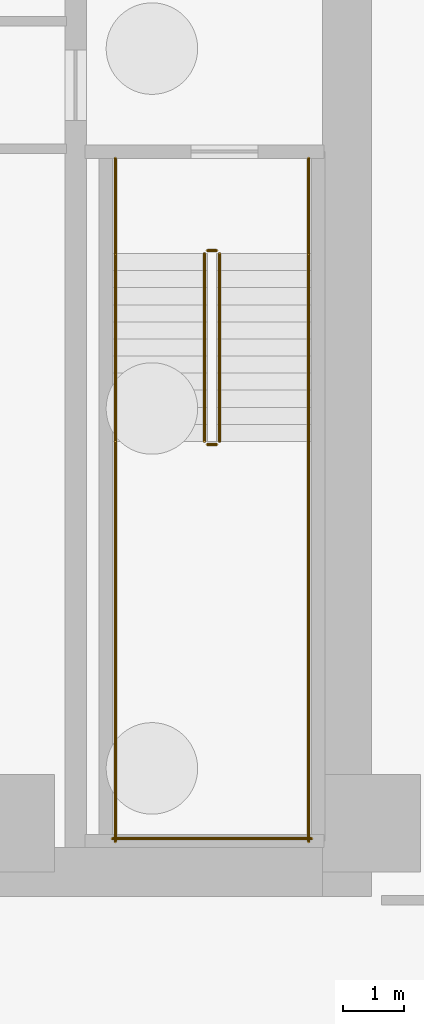
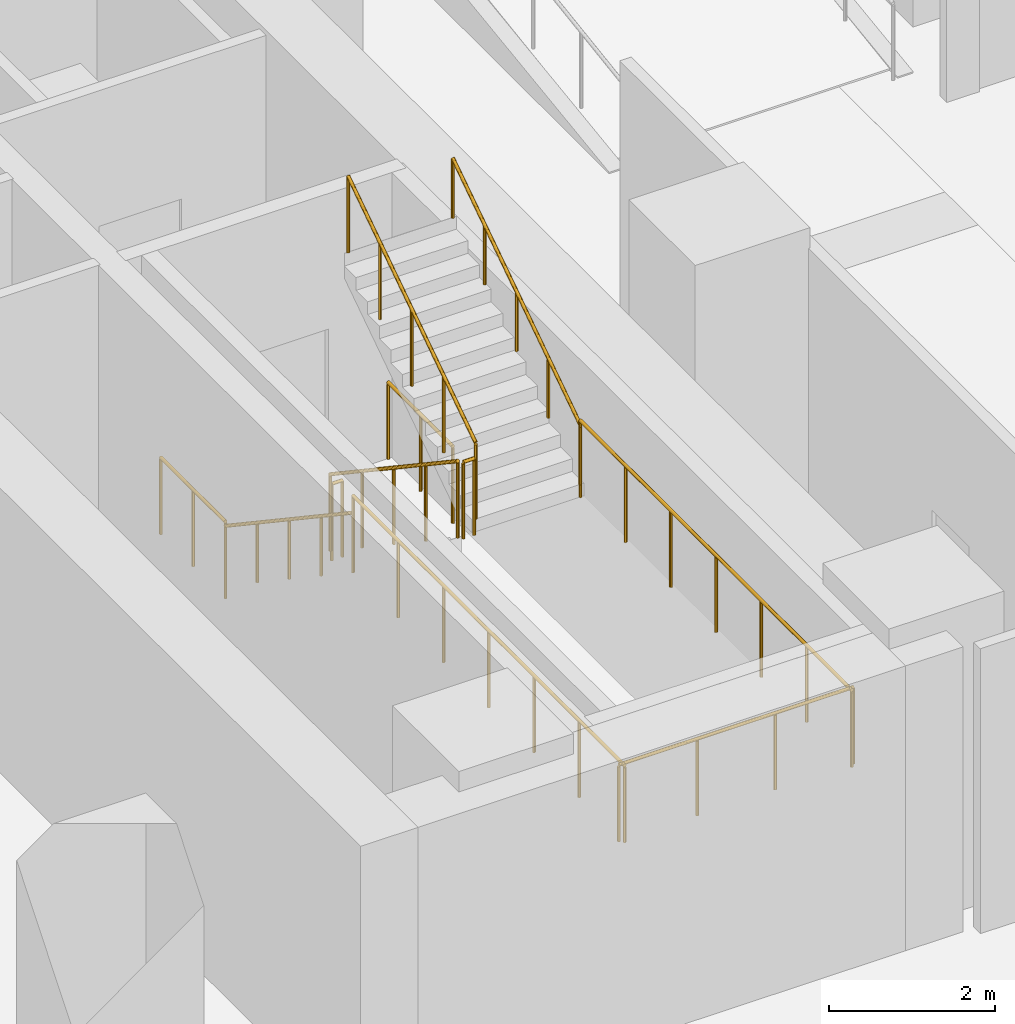
# One storey, part 10 of 15: 11 railings.
"""IFC4 building model written with IfcOpenShell, lengths in metres."""

from ifc_helpers import new_model, si_unit, direction, frame, origin, origin_2d, place, context, subcontext, project, spatial, circle, extrude, material, type_object, element, save


model = new_model("IFC4")

# Units and contexts
model_context = context("Model", 3, precision=1e-05, world=origin(), true_north=direction((0.0, 1.0)))
body_context = subcontext(model_context, "Body", "Model", "MODEL_VIEW")
ifc_project = project(units=[si_unit("LENGTHUNIT", "METRE"), si_unit("AREAUNIT", "SQUARE_METRE"), si_unit("VOLUMEUNIT", "CUBIC_METRE"), si_unit("PLANEANGLEUNIT", "RADIAN"), si_unit("MASSUNIT", "GRAM", prefix="KILO")], contexts=[model_context])

# Site, building, storey
site_placement = place(None, origin())
site = spatial("IfcSite", under=ifc_project, at=site_placement, CompositionType="ELEMENT")
building_placement = place(site_placement, origin())
building = spatial("IfcBuilding", under=site, at=building_placement, Name="Khairoan Windgate Tower", CompositionType="ELEMENT")
storey_placement = place(building_placement, frame((0.0, 0.0, -9.0)))
storey = spatial("IfcBuildingStorey", under=building, at=storey_placement, Name="B2", CompositionType="ELEMENT", Elevation=-9.0)

# Railings
ifc_material_1 = material(Name="Anodised Bronze Aluminium 6063-T6", Category="aluminium")
railing_type_1 = type_object("IfcRailingType", Name="Stair Wall Handrail SHR-900", PredefinedType="HANDRAIL", material=ifc_material_1)
railing_1_placement = place(storey_placement, frame((16.199951171875, -9.260009765625, 0.1875)))
element("IfcRailing", 1, at=railing_1_placement, inside=storey, type_object=railing_type_1, Name="B2 ST1 stair handrail 1", PredefinedType="HANDRAIL", context=body_context, shape_type="SweptSolid", body=[
    extrude(circle(Radius=0.02392578125, at=origin_2d()), frame((0.0, 0.0, 0.8759765625), z_axis=(0.0, -0.830913701846, 0.55640131208), x_axis=(1.0, 0.0, 0.0)), (0.0, 0.0, 1.0), 3.706787109375),
    extrude(circle(Radius=0.02099609375, at=origin_2d()), origin(), (0.0, 0.0, 1.0), 0.851806640625),
    extrude(circle(Radius=0.02099609375, at=origin_2d()), frame((0.0, -0.77001953125, 0.515625)), (0.0, 0.0, 1.0), 0.851806640625),
    extrude(circle(Radius=0.02099609375, at=origin_2d()), frame((0.0, -1.5400390625, 1.03125)), (0.0, 0.0, 1.0), 0.851806640625),
    extrude(circle(Radius=0.02099609375, at=origin_2d()), frame((0.0, -2.31005859375, 1.546875)), (0.0, 0.0, 1.0), 0.851806640625),
    extrude(circle(Radius=0.02099609375, at=origin_2d()), frame((0.0, -3.080078125, 2.0625)), (0.0, 0.0, 1.0), 0.851806640625),
])
railing_2_placement = place(storey_placement, frame((19.3701171875, -12.340087890625, 2.4375)))
element("IfcRailing", 2, at=railing_2_placement, inside=storey, type_object=railing_type_1, Name="B2 ST1 stair handrail 2", PredefinedType="HANDRAIL", context=body_context, shape_type="SweptSolid", body=[
    extrude(circle(Radius=0.02392578125, at=origin_2d()), frame((0.0, 0.0, 0.8759765625), z_axis=(0.0, 0.830913701846, 0.55640131208), x_axis=(-1.0, 0.0, 0.0)), (0.0, 0.0, 1.0), 3.706787109375),
    extrude(circle(Radius=0.02099609375, at=origin_2d()), origin(), (0.0, 0.0, 1.0), 0.851806640625),
    extrude(circle(Radius=0.02099609375, at=origin_2d()), frame((0.0, 0.77001953125, 0.515625)), (0.0, 0.0, 1.0), 0.851806640625),
    extrude(circle(Radius=0.02099609375, at=origin_2d()), frame((0.0, 1.5400390625, 1.03125)), (0.0, 0.0, 1.0), 0.851806640625),
    extrude(circle(Radius=0.02099609375, at=origin_2d()), frame((0.0, 2.31005859375, 1.546875)), (0.0, 0.0, 1.0), 0.851806640625),
    extrude(circle(Radius=0.02099609375, at=origin_2d()), frame((0.0, 3.080078125, 2.0625)), (0.0, 0.0, 1.0), 0.851806640625),
])
ifc_material_2 = material(Name="Steel S355", Category="steel")
railing_type_2 = type_object("IfcRailingType", Name="Stairwell Safety Guardrail SGR-1150", PredefinedType="GUARDRAIL", material=ifc_material_2)
railing_3_placement = place(storey_placement, frame((17.659912109375, -9.260009765625, 0.1875)))
element("IfcRailing", 3, at=railing_3_placement, inside=storey, type_object=railing_type_2, Name="B2 ST1 stair guard 1", PredefinedType="GUARDRAIL", context=body_context, shape_type="SweptSolid", body=[
    extrude(circle(Radius=0.02392578125, at=origin_2d()), frame((0.0, 0.0, 1.1259765625), z_axis=(0.0, -0.830913701846, 0.55640131208), x_axis=(1.0, 0.0, 0.0)), (0.0, 0.0, 1.0), 3.706787109375),
    extrude(circle(Radius=0.02099609375, at=origin_2d()), origin(), (0.0, 0.0, 1.0), 1.101806640625),
    extrude(circle(Radius=0.02099609375, at=origin_2d()), frame((0.0, -0.77001953125, 0.515625)), (0.0, 0.0, 1.0), 1.101806640625),
    extrude(circle(Radius=0.02099609375, at=origin_2d()), frame((0.0, -1.5400390625, 1.03125)), (0.0, 0.0, 1.0), 1.101806640625),
    extrude(circle(Radius=0.02099609375, at=origin_2d()), frame((0.0, -2.31005859375, 1.546875)), (0.0, 0.0, 1.0), 1.101806640625),
    extrude(circle(Radius=0.02099609375, at=origin_2d()), frame((0.0, -3.080078125, 2.0625)), (0.0, 0.0, 1.0), 1.101806640625),
])
railing_4_placement = place(storey_placement, frame((17.7099609375, -12.389892578125, 2.25)))
element("IfcRailing", 4, at=railing_4_placement, inside=storey, type_object=railing_type_2, Name="B2 ST1 stair guard 2", PredefinedType="GUARDRAIL", context=body_context, shape_type="SweptSolid", body=[
    extrude(circle(Radius=0.02392578125, at=origin_2d()), frame((0.0, 0.0, 1.1259765625), z_axis=(1.0, 0.0, 0.0), x_axis=(0.0, 1.0, 0.0)), (0.0, 0.0, 1.0), 0.150146484375),
    extrude(circle(Radius=0.02099609375, at=origin_2d()), origin(), (0.0, 0.0, 1.0), 1.101806640625),
    extrude(circle(Radius=0.02099609375, at=origin_2d()), frame((0.150146484375, 0.0, 0.0)), (0.0, 0.0, 1.0), 1.101806640625),
])
for number, where, name in (
    (5, (16.199951171875, -12.340087890625, 2.25), "B2 ST1 stair guard 3"),
    (6, (19.3701171875, -12.340087890625, 2.25), "B2 ST1 stair guard 4"),
):
    element("IfcRailing", number, at=place(storey_placement, frame(where)), inside=storey, type_object=railing_type_2, Name=name, PredefinedType="GUARDRAIL", context=body_context, shape_type="SweptSolid", body=[
        extrude(circle(Radius=0.02392578125, at=origin_2d()), frame((0.0, 0.0, 1.1259765625), z_axis=(0.0, -1.0, 0.0), x_axis=(1.0, 0.0, 0.0)), (0.0, 0.0, 1.0), 6.559814453125),
        extrude(circle(Radius=0.02099609375, at=origin_2d()), origin(), (0.0, 0.0, 1.0), 1.101806640625),
        extrude(circle(Radius=0.02099609375, at=origin_2d()), frame((0.0, -1.09326171875, 0.0)), (0.0, 0.0, 1.0), 1.101806640625),
        extrude(circle(Radius=0.02099609375, at=origin_2d()), frame((0.0, -2.1865234375, 0.0)), (0.0, 0.0, 1.0), 1.101806640625),
        extrude(circle(Radius=0.02099609375, at=origin_2d()), frame((0.0, -3.27978515625, 0.0)), (0.0, 0.0, 1.0), 1.101806640625),
        extrude(circle(Radius=0.02099609375, at=origin_2d()), frame((0.0, -4.373291015625, 0.0)), (0.0, 0.0, 1.0), 1.101806640625),
        extrude(circle(Radius=0.02099609375, at=origin_2d()), frame((0.0, -5.466552734375, 0.0)), (0.0, 0.0, 1.0), 1.101806640625),
        extrude(circle(Radius=0.02099609375, at=origin_2d()), frame((0.0, -6.559814453125, 0.0)), (0.0, 0.0, 1.0), 1.101806640625),
    ])
railing_5_placement = place(storey_placement, frame((16.14990234375, -18.85009765625, 2.25)))
element("IfcRailing", 7, at=railing_5_placement, inside=storey, type_object=railing_type_2, Name="B2 ST1 stair guard 5", PredefinedType="GUARDRAIL", context=body_context, shape_type="SweptSolid", body=[
    extrude(circle(Radius=0.02392578125, at=origin_2d()), frame((0.0, 0.0, 1.1259765625), z_axis=(1.0, 0.0, 0.0), x_axis=(0.0, 1.0, 0.0)), (0.0, 0.0, 1.0), 3.27001953125),
    extrude(circle(Radius=0.02099609375, at=origin_2d()), origin(), (0.0, 0.0, 1.0), 1.101806640625),
    extrude(circle(Radius=0.02099609375, at=origin_2d()), frame((1.090087890625, 0.0, 0.0)), (0.0, 0.0, 1.0), 1.101806640625),
    extrude(circle(Radius=0.02099609375, at=origin_2d()), frame((2.179931640625, 0.0, 0.0)), (0.0, 0.0, 1.0), 1.101806640625),
    extrude(circle(Radius=0.02099609375, at=origin_2d()), frame((3.27001953125, 0.0, 0.0)), (0.0, 0.0, 1.0), 1.101806640625),
])
railing_6_placement = place(storey_placement, frame((17.909912109375, -12.340087890625, 2.4375)))
element("IfcRailing", 8, at=railing_6_placement, inside=storey, type_object=railing_type_2, Name="B2 ST1 stair guard 6", PredefinedType="GUARDRAIL", context=body_context, shape_type="SweptSolid", body=[
    extrude(circle(Radius=0.02392578125, at=origin_2d()), frame((0.0, 0.0, 1.1259765625), z_axis=(0.0, 0.830913701846, 0.55640131208), x_axis=(-1.0, 0.0, 0.0)), (0.0, 0.0, 1.0), 3.706787109375),
    extrude(circle(Radius=0.02099609375, at=origin_2d()), origin(), (0.0, 0.0, 1.0), 1.101806640625),
    extrude(circle(Radius=0.02099609375, at=origin_2d()), frame((0.0, 0.77001953125, 0.515625)), (0.0, 0.0, 1.0), 1.101806640625),
    extrude(circle(Radius=0.02099609375, at=origin_2d()), frame((0.0, 1.5400390625, 1.03125)), (0.0, 0.0, 1.0), 1.101806640625),
    extrude(circle(Radius=0.02099609375, at=origin_2d()), frame((0.0, 2.31005859375, 1.546875)), (0.0, 0.0, 1.0), 1.101806640625),
    extrude(circle(Radius=0.02099609375, at=origin_2d()), frame((0.0, 3.080078125, 2.0625)), (0.0, 0.0, 1.0), 1.101806640625),
])
railing_7_placement = place(storey_placement, frame((17.7099609375, -9.2099609375, 0.0)))
element("IfcRailing", 9, at=railing_7_placement, inside=storey, type_object=railing_type_2, Name="B2 ST1 stair guard 7", PredefinedType="GUARDRAIL", context=body_context, shape_type="SweptSolid", body=[
    extrude(circle(Radius=0.02392578125, at=origin_2d()), frame((0.0, 0.0, 1.1259765625), z_axis=(1.0, 0.0, 0.0), x_axis=(0.0, 1.0, 0.0)), (0.0, 0.0, 1.0), 0.150146484375),
    extrude(circle(Radius=0.02099609375, at=origin_2d()), origin(), (0.0, 0.0, 1.0), 1.101806640625),
    extrude(circle(Radius=0.02099609375, at=origin_2d()), frame((0.150146484375, 0.0, 0.0)), (0.0, 0.0, 1.0), 1.101806640625),
])
for number, where, name in (
    (10, (16.199951171875, -7.699951171875, 0.0), "B2 ST1 stair guard 8"),
    (11, (19.3701171875, -7.699951171875, 0.0), "B2 ST1 stair guard 9"),
):
    element("IfcRailing", number, at=place(storey_placement, frame(where)), inside=storey, type_object=railing_type_2, Name=name, PredefinedType="GUARDRAIL", context=body_context, shape_type="SweptSolid", body=[
        extrude(circle(Radius=0.02392578125, at=origin_2d()), frame((0.0, 0.0, 1.1259765625), z_axis=(0.0, -1.0, 0.0), x_axis=(1.0, 0.0, 0.0)), (0.0, 0.0, 1.0), 1.56005859375),
        extrude(circle(Radius=0.02099609375, at=origin_2d()), origin(), (0.0, 0.0, 1.0), 1.101806640625),
        extrude(circle(Radius=0.02099609375, at=origin_2d()), frame((0.0, -0.780029296875, 0.0)), (0.0, 0.0, 1.0), 1.101806640625),
        extrude(circle(Radius=0.02099609375, at=origin_2d()), frame((0.0, -1.56005859375, 0.0)), (0.0, 0.0, 1.0), 1.101806640625),
    ])

save(model, "model.ifc")
